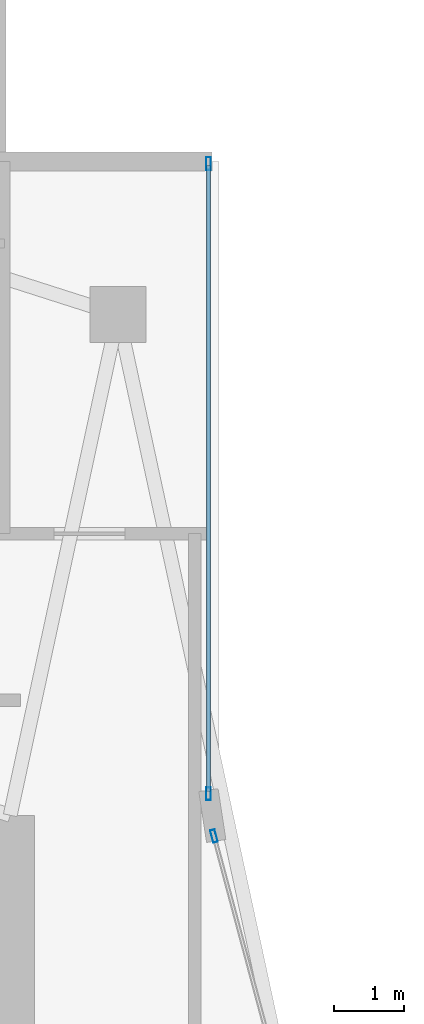
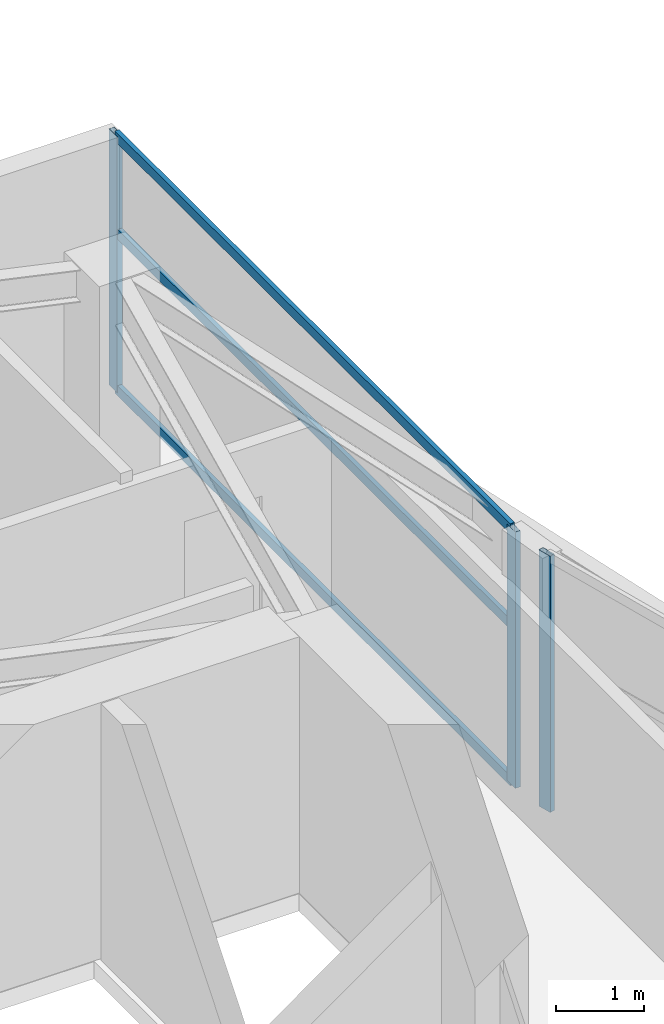
# One storey, part 20 of 30: 6 members, 2 elements without a shape of their own.
"""IFC4 building model written with IfcOpenShell, lengths in metres."""

from ifc_helpers import new_model, si_unit, direction, frame, origin, origin_2d, place, context, subcontext, project, spatial, hollow_rectangle, extrude, material, layer, layer_set, material_profile, profile_set, type_object, element, aggregate, save


model = new_model("IFC4")

# Units and contexts
model_context = context("Model", 3, precision=1e-05, world=origin(), true_north=direction((0.0, 1.0)))
body_context = subcontext(model_context, "Body", "Model", "MODEL_VIEW")
ifc_project = project(units=[si_unit("LENGTHUNIT", "METRE"), si_unit("AREAUNIT", "SQUARE_METRE"), si_unit("VOLUMEUNIT", "CUBIC_METRE"), si_unit("PLANEANGLEUNIT", "RADIAN"), si_unit("MASSUNIT", "GRAM", prefix="KILO")], contexts=[model_context])

# Site, building, storey
site_placement = place(None, origin())
site = spatial("IfcSite", under=ifc_project, at=site_placement, CompositionType="ELEMENT")
building_placement = place(site_placement, origin())
building = spatial("IfcBuilding", under=site, at=building_placement, Name="Calvorn Quay Hotel", CompositionType="ELEMENT")
storey_placement = place(building_placement, frame((0.0, 0.0, 207.199951171875)))
storey = spatial("IfcBuildingStorey", under=building, at=storey_placement, Name="L51", CompositionType="ELEMENT", Elevation=207.199951171875)

# Curtain wall, member
ifc_material_1 = material(Name="Champagne Bronze Anodised Aluminium and Low-E Glass", Category="aluminium")
ifc_layer = layer(ifc_material_1, 0.219970703125)
ifc_layer_set = layer_set([ifc_layer], Name="CW-SYS-Z3")
curtain_wall_type = type_object("IfcCurtainWallType", Name="CW-SYS-Z3", PredefinedType="NOTDEFINED", material=ifc_layer_set)
curtain_wall_1_placement = place(storey_placement, origin())
curtain_wall_1 = element("IfcCurtainWall", 1, at=curtain_wall_1_placement, inside=storey, type_object=curtain_wall_type, Name="Inner Court Curtain Wall L51-IC1", PredefinedType="NOTDEFINED")
ifc_material_2 = material(Name="Champagne Bronze Anodised Aluminium 6063-T6", Category="aluminium")
ifc_material_profile_1 = material_profile(ifc_material_2, hollow_rectangle(XDim=0.068115234375, YDim=0.18505859375, WallThickness=0.00390625, at=origin_2d()), Name="ALU-M185x68x4")
ifc_profile_set_1 = profile_set([ifc_material_profile_1], Name="Champagne Bronze Anodised Aluminium 6063-T6")
member_type_1 = type_object("IfcMemberType", Name="CW-SYS-Z3-MUL", PredefinedType="MULLION", material=ifc_profile_set_1)
member_1_placement = place(storey_placement, frame((17.9296875, 38.10107421875, 0.0), z_axis=(0.0, 0.0, 1.0), x_axis=(-0.96593652056, -0.25877913024, 0.0)))
member_1 = element("IfcMember", 2, at=member_1_placement, type_object=member_type_1, Name="CW-L51-IC1 mullion 2", PredefinedType="MULLION", context=body_context, shape_type="SweptSolid", body=[
    extrude(hollow_rectangle(XDim=0.068115234375, YDim=0.18505859375, WallThickness=0.00390625, at=origin_2d()), origin(), (0.0, 0.0, 1.0), 3.56005859375),
])
aggregate(curtain_wall_1, [member_1])

# Curtain wall, members
curtain_wall_2_placement = place(storey_placement, origin())
curtain_wall_2 = element("IfcCurtainWall", 3, at=curtain_wall_2_placement, inside=storey, type_object=curtain_wall_type, Name="Inner Court Curtain Wall L51-IC2", PredefinedType="NOTDEFINED")
member_2_placement = place(storey_placement, frame((17.85009765625, 38.7099609375, 0.0), z_axis=(0.0, 0.0, 1.0), x_axis=(-1.0, 0.0, 0.0)))
member_2 = element("IfcMember", 4, at=member_2_placement, type_object=member_type_1, Name="CW-L51-IC2 mullion 1", PredefinedType="MULLION", context=body_context, shape_type="SweptSolid", body=[
    extrude(hollow_rectangle(XDim=0.068115234375, YDim=0.18505859375, WallThickness=0.00390625, at=origin_2d()), origin(), (0.0, 0.0, 1.0), 3.56005859375),
])
member_3_placement = place(storey_placement, frame((17.85009765625, 47.77001953125, 0.0), z_axis=(0.0, 0.0, 1.0), x_axis=(-1.0, 0.0, 0.0)))
member_3 = element("IfcMember", 5, at=member_3_placement, type_object=member_type_1, Name="CW-L51-IC2 mullion 2", PredefinedType="MULLION", context=body_context, shape_type="SweptSolid", body=[
    extrude(hollow_rectangle(XDim=0.068115234375, YDim=0.18505859375, WallThickness=0.00390625, at=origin_2d()), origin(), (0.0, 0.0, 1.0), 3.56005859375),
])
ifc_material_3 = material(Name="Champagne Bronze Anodised Aluminium 6063-T6", Category="aluminium")
ifc_material_profile_2 = material_profile(ifc_material_3, hollow_rectangle(XDim=0.05810546875, YDim=0.139892578125, WallThickness=0.003173828125, at=origin_2d()), Name="ALU-T140x58x3.2")
ifc_profile_set_2 = profile_set([ifc_material_profile_2], Name="Champagne Bronze Anodised Aluminium 6063-T6")
member_type_2 = type_object("IfcMemberType", Name="CW-SYS-Z3-TRN", PredefinedType="USERDEFINED", material=ifc_profile_set_2)
member_4_placement = place(storey_placement, frame((17.85009765625, 38.739990234375, 0.030029296875), z_axis=(0.0, 1.0, 0.0), x_axis=(-1.0, 0.0, 0.0)))
member_4 = element("IfcMember", 6, at=member_4_placement, type_object=member_type_2, Name="CW-L51-IC2 transom 1.1", ObjectType="TRANSOM", PredefinedType="USERDEFINED", context=body_context, shape_type="SweptSolid", body=[
    extrude(hollow_rectangle(XDim=0.05810546875, YDim=0.139892578125, WallThickness=0.003173828125, at=origin_2d()), origin(), (0.0, 0.0, 1.0), 9.0),
])
member_5_placement = place(storey_placement, frame((17.85009765625, 38.739990234375, 2.199951171875), z_axis=(0.0, 1.0, 0.0), x_axis=(-1.0, 0.0, 0.0)))
member_5 = element("IfcMember", 7, at=member_5_placement, type_object=member_type_2, Name="CW-L51-IC2 transom 1.2", ObjectType="TRANSOM", PredefinedType="USERDEFINED", context=body_context, shape_type="SweptSolid", body=[
    extrude(hollow_rectangle(XDim=0.05810546875, YDim=0.139892578125, WallThickness=0.003173828125, at=origin_2d()), origin(), (0.0, 0.0, 1.0), 9.0),
])
member_6_placement = place(storey_placement, frame((17.85009765625, 38.739990234375, 3.530029296875), z_axis=(0.0, 1.0, 0.0), x_axis=(-1.0, 0.0, 0.0)))
member_6 = element("IfcMember", 8, at=member_6_placement, type_object=member_type_2, Name="CW-L51-IC2 transom 1.3", ObjectType="TRANSOM", PredefinedType="USERDEFINED", context=body_context, shape_type="SweptSolid", body=[
    extrude(hollow_rectangle(XDim=0.05810546875, YDim=0.139892578125, WallThickness=0.003173828125, at=origin_2d()), origin(), (0.0, 0.0, 1.0), 9.0),
])
aggregate(curtain_wall_2, [member_2, member_3, member_4, member_5, member_6])

save(model, "model.ifc")
